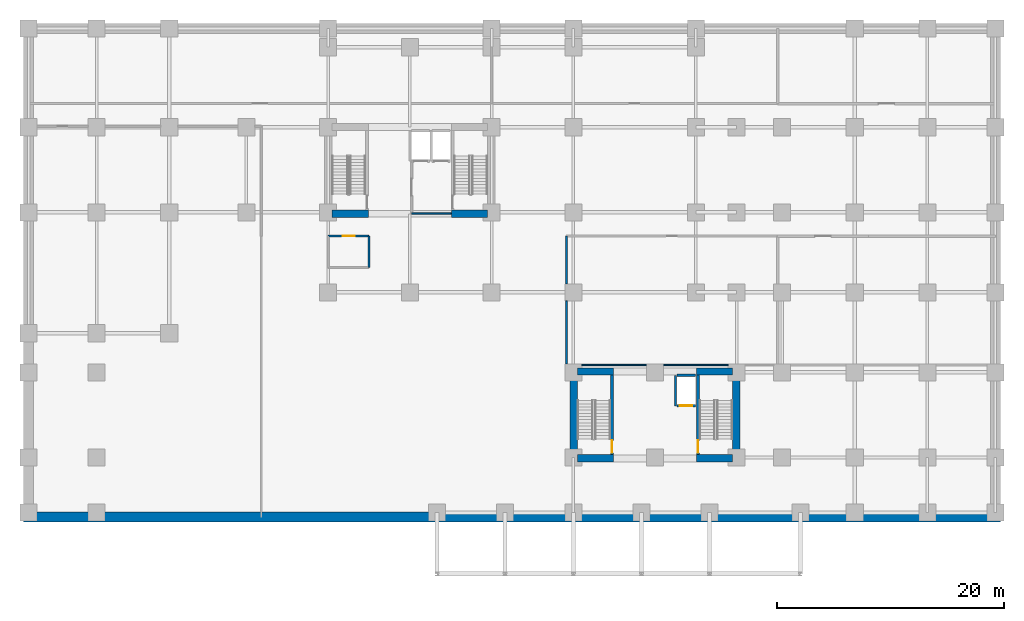
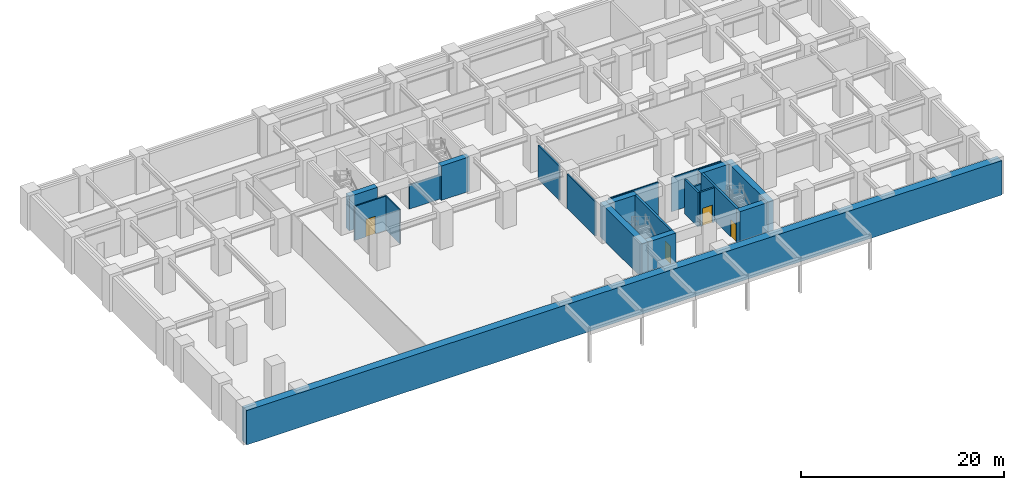
# One storey, part 7 of 11: 21 walls, 4 doors, 4 openings.
"""IFC4 building model written with IfcOpenShell, lengths in metres."""

from ifc_helpers import new_model, si_unit, direction, frame, frame_2d, origin, place, context, subcontext, project, spatial, rectangle, extrude, material, layer, layer_set, type_object, element, fill, save


model = new_model("IFC4")

# Units and contexts
model_context = context("Model", 3, precision=1e-05, world=origin(), true_north=direction((0.0, 1.0)))
body_context = subcontext(model_context, "Body", "Model", "MODEL_VIEW")
ifc_project = project(units=[si_unit("LENGTHUNIT", "METRE"), si_unit("AREAUNIT", "SQUARE_METRE"), si_unit("VOLUMEUNIT", "CUBIC_METRE"), si_unit("PLANEANGLEUNIT", "RADIAN"), si_unit("MASSUNIT", "GRAM", prefix="KILO")], contexts=[model_context])

# Site, building, storey
site_placement = place(None, origin())
site = spatial("IfcSite", under=ifc_project, at=site_placement, CompositionType="ELEMENT")
building_placement = place(site_placement, origin())
building = spatial("IfcBuilding", under=site, at=building_placement, Name="Kaliganga Portal Commons", CompositionType="ELEMENT")
storey_placement = place(building_placement, frame((0.0, 0.0, -4.5)))
storey = spatial("IfcBuildingStorey", under=building, at=storey_placement, Name="B1", CompositionType="ELEMENT", Elevation=-4.5)

# Walls
ifc_material_1 = material(Name="Concrete C70/85", Category="concrete")
ifc_layer_1 = layer(ifc_material_1, 0.64990234375)
ifc_layer_set_1 = layer_set([ifc_layer_1], Name="Concrete C70/85")
wall_type_1 = type_object("IfcWallType", Name="WL-CORE-650", PredefinedType="SHEAR", material=ifc_layer_set_1)
for number, where, z_axis, x_axis, name in (
    (1, (14.75, 28.52490234375, 0.0), (0.0, 0.0, 1.0), (1.0, 0.0, 0.0), "Core A S-West Shear Wall B1"),
    (2, (25.25, 28.52490234375, 0.0), (0.0, 0.0, 1.0), (1.0, 0.0, 0.0), "Core A S-East Shear Wall B1"),
):
    element("IfcWall", number, at=place(storey_placement, frame(where, z_axis=z_axis, x_axis=x_axis)), inside=storey, type_object=wall_type_1, Name=name, PredefinedType="SHEAR", context=body_context, shape_type="SweptSolid", body=[
        extrude(rectangle(XDim=3.199951171875, YDim=0.64990234375, at=frame_2d((1.60009765625, 0.0))), origin(), (0.0, 0.0, 1.0), 4.14990234375),
    ])
for number, where, z_axis, x_axis, name in (
    (3, (36.02490234375, 6.64990234375, 0.0), (0.0, 0.0, 1.0), (0.0, 1.0, 0.0), "Core B West Shear Wall B1"),
    (4, (50.375, 6.64990234375, 0.0), (0.0, 0.0, 1.0), (0.0, 1.0, 0.0), "Core B East Shear Wall B1"),
):
    element("IfcWall", number, at=place(storey_placement, frame(where, z_axis=z_axis, x_axis=x_axis)), inside=storey, type_object=wall_type_1, Name=name, PredefinedType="SHEAR", context=body_context, shape_type="SweptSolid", body=[
        extrude(rectangle(XDim=8.300048828125, YDim=0.64990234375, at=frame_2d((4.14990234375, 0.0))), origin(), (0.0, 0.0, 1.0), 4.14990234375),
    ])
for number, where, z_axis, x_axis, name in (
    (5, (36.35009765625, 6.97509765625, 0.0), (0.0, 0.0, 1.0), (1.0, 0.0, 0.0), "Core B S-West Shear Wall B1"),
    (6, (46.85009765625, 6.97509765625, 0.0), (0.0, 0.0, 1.0), (1.0, 0.0, 0.0), "Core B S-East Shear Wall B1"),
    (7, (36.35009765625, 14.625, 0.0), (0.0, 0.0, 1.0), (1.0, 0.0, 0.0), "Core B N-West Shear Wall B1"),
    (8, (46.85009765625, 14.625, 0.0), (0.0, 0.0, 1.0), (1.0, 0.0, 0.0), "Core B N-East Shear Wall B1"),
):
    element("IfcWall", number, at=place(storey_placement, frame(where, z_axis=z_axis, x_axis=x_axis)), inside=storey, type_object=wall_type_1, Name=name, PredefinedType="SHEAR", context=body_context, shape_type="SweptSolid", body=[
        extrude(rectangle(XDim=3.199951171875, YDim=0.64990234375, at=frame_2d((1.60009765625, 0.0))), origin(), (0.0, 0.0, 1.0), 4.14990234375),
    ])
ifc_material_2 = material(Name="Fire-Rated Gypsum Board on Steel Stud", Category="steel")
ifc_layer_2 = layer(ifc_material_2, 0.14990234375)
ifc_layer_set_2 = layer_set([ifc_layer_2], Name="Fire-Rated Gypsum Board on Steel Stud")
wall_type_2 = type_object("IfcWallType", Name="WL-PART-CORR-150", PredefinedType="PARTITIONING", material=ifc_layer_set_2)
wall_1_placement = place(storey_placement, frame((35.39990234375, 15.300048828125, 0.0), z_axis=(0.0, 0.0, 1.0), x_axis=(0.0, 1.0, 0.0)))
element("IfcWall", 9, at=wall_1_placement, inside=storey, type_object=wall_type_2, Name="Interior Partition B1-009", PredefinedType="PARTITIONING", context=body_context, shape_type="SweptSolid", body=[
    extrude(rectangle(XDim=5.550048828125, YDim=0.14990234375, at=frame_2d((2.77490234375, 0.0))), origin(), (0.0, 0.0, 1.0), 4.1298828125),
])
wall_2_placement = place(storey_placement, frame((35.39990234375, 22.35009765625, 0.0), z_axis=(0.0, 0.0, 1.0), x_axis=(0.0, 1.0, 0.0)))
element("IfcWall", 10, at=wall_2_placement, inside=storey, type_object=wall_type_2, Name="Interior Partition B1-010", PredefinedType="PARTITIONING", context=body_context, shape_type="SweptSolid", body=[
    extrude(rectangle(XDim=4.2099609375, YDim=0.14990234375, at=frame_2d((2.10498046875, 0.0))), origin(), (0.0, 0.0, 1.0), 4.1298828125),
])

# Wall, opening, door
wall_3_placement = place(storey_placement, frame((14.39990234375, 26.56005859375, 0.0), z_axis=(0.0, 0.0, 1.0), x_axis=(1.0, 0.0, 0.0)))
wall_3 = element("IfcWall", 11, at=wall_3_placement, inside=storey, type_object=wall_type_2, Name="Interior Partition B1-013", PredefinedType="PARTITIONING", context=body_context, shape_type="SweptSolid", body=[
    extrude(rectangle(XDim=3.60009765625, YDim=0.14990234375, at=frame_2d((1.800048828125, 0.0))), origin(), (0.0, 0.0, 1.0), 4.1298828125),
])
opening_1_placement = place(wall_3_placement, frame((1.27490234375, 0.0, 0.0)))
opening_1 = element("IfcOpeningElement", 12, at=opening_1_placement, cuts=wall_3, Name="Opening UD-02", PredefinedType="OPENING", context=body_context, shape_type="SweptSolid", body=[
    extrude(rectangle(XDim=1.050048828125, YDim=2.1201171875, at=frame_2d((0.52490234375, 1.06005859375))), frame((0.0, 0.0849609375, 0.0), z_axis=(0.0, -1.0, 0.0), x_axis=(1.0, 0.0, 0.0)), (0.0, 0.0, 1.0), 0.169921875),
])
ifc_material_3 = material(Name="Accessible Wide-Leaf Acoustic Fire Door", Category="wood")
door_type_1 = type_object("IfcDoorType", Name="DR-ACC-1050", OperationType="NOTDEFINED", PredefinedType="DOOR", material=ifc_material_3)
door_1_placement = place(opening_1_placement, origin())
door_1 = element("IfcDoor", 13, at=door_1_placement, inside=storey, type_object=door_type_1, Name="Interior Door B1-B1WC", OperationType="SINGLE_SWING_RIGHT", OverallHeight=2.1201171875, OverallWidth=1.050048828125, PredefinedType="DOOR", context=body_context, shape_type="SweptSolid", body=[
    extrude(rectangle(XDim=1.050048828125, YDim=2.1201171875, at=frame_2d((0.52490234375, 1.06005859375))), frame((0.0, 0.02490234375, 0.0), z_axis=(0.0, -1.0, 0.0), x_axis=(1.0, 0.0, 0.0)), (0.0, 0.0, 1.0), 0.050048828125),
])
fill(opening_1, door_1)

# Walls
wall_4_placement = place(storey_placement, frame((21.760009765625, 28.56005859375, 0.0), z_axis=(0.0, 0.0, 1.0), x_axis=(1.0, 0.0, 0.0)))
element("IfcWall", 14, at=wall_4_placement, inside=storey, type_object=wall_type_2, Name="Interior Partition B1-028", PredefinedType="PARTITIONING", context=body_context, shape_type="SweptSolid", body=[
    extrude(rectangle(XDim=3.47998046875, YDim=0.14990234375, at=frame_2d((1.739990234375, 0.0))), origin(), (0.0, 0.0, 1.0), 2.929931640625),
])
ifc_material_4 = material(Name="Moisture-Resistant Gypsum Partition", Category="gypsum")
ifc_layer_3 = layer(ifc_material_4, 0.114990234375)
ifc_layer_set_3 = layer_set([ifc_layer_3], Name="Moisture-Resistant Gypsum Partition")
wall_type_3 = type_object("IfcWallType", Name="WL-PART-ROOM-115", PredefinedType="PARTITIONING", material=ifc_layer_set_3)
for number, where, z_axis, x_axis, name in (
    (15, (36.75, 15.199951171875, 0.0), (0.0, 0.0, 1.0), (1.0, 0.0, 0.0), "Interior Partition B1-019"),
    (16, (43.949951171875, 15.199951171875, 0.0), (0.0, 0.0, 1.0), (1.0, 0.0, 0.0), "Interior Partition B1-020"),
):
    element("IfcWall", number, at=place(storey_placement, frame(where, z_axis=z_axis, x_axis=x_axis)), inside=storey, type_object=wall_type_3, Name=name, PredefinedType="PARTITIONING", context=body_context, shape_type="SweptSolid", body=[
        extrude(rectangle(XDim=5.699951171875, YDim=0.114990234375, at=frame_2d((2.85009765625, 0.0))), origin(), (0.0, 0.0, 1.0), 4.1298828125),
    ])
ifc_material_5 = material(Name="Cement-Board Wet-Room Partition", Category="gypsum")
ifc_layer_4 = layer(ifc_material_5, 0.135009765625)
ifc_layer_set_4 = layer_set([ifc_layer_4], Name="Cement-Board Wet-Room Partition")
wall_type_4 = type_object("IfcWallType", Name="WL-PART-WET-135", PredefinedType="PARTITIONING", material=ifc_layer_set_4)
wall_5_placement = place(storey_placement, frame((18.0, 23.800048828125, 0.0), z_axis=(0.0, 0.0, 1.0), x_axis=(0.0, 1.0, 0.0)))
element("IfcWall", 17, at=wall_5_placement, inside=storey, type_object=wall_type_4, Name="Interior Partition B1-030", PredefinedType="PARTITIONING", context=body_context, shape_type="SweptSolid", body=[
    extrude(rectangle(XDim=2.760009765625, YDim=0.135009765625, at=frame_2d((1.3798828125, 0.0))), origin(), (0.0, 0.0, 1.0), 4.1298828125),
])
ifc_material_6 = material(Name="Concrete C60/75", Category="concrete")
ifc_layer_5 = layer(ifc_material_6, 0.89990234375)
ifc_layer_set_5 = layer_set([ifc_layer_5], Name="Concrete C60/75")
wall_type_5 = type_object("IfcWallType", Name="WL-RET-900", PredefinedType="USERDEFINED", material=ifc_layer_set_5)
wall_6_placement = place(storey_placement, frame((-12.449951171875, 1.800048828125, 0.0), z_axis=(0.0, 0.0, 1.0), x_axis=(1.0, 0.0, 0.0)))
element("IfcWall", 18, at=wall_6_placement, inside=storey, type_object=wall_type_5, Name="Basement Diaphragm Retaining Wall B1-S", ObjectType="RETAINING WALL", PredefinedType="USERDEFINED", context=body_context, shape_type="SweptSolid", body=[
    extrude(rectangle(XDim=86.099853515625, YDim=0.89990234375, at=frame_2d((43.0498046875, 0.0))), origin(), (0.0, 0.0, 1.0), 4.14990234375),
])

# Wall, opening, door
ifc_material_7 = material(Name="Fire-Rated Shaftwall Masonry Assembly", Category="masonry")
ifc_layer_6 = layer(ifc_material_7, 0.199951171875)
ifc_layer_set_6 = layer_set([ifc_layer_6], Name="Fire-Rated Shaftwall Masonry Assembly")
wall_type_6 = type_object("IfcWallType", Name="WL-SHAFT-200", PredefinedType="PARTITIONING", material=ifc_layer_set_6)
wall_7_placement = place(storey_placement, frame((45.14990234375, 11.610107421875, 0.0), z_axis=(0.0, 0.0, 1.0), x_axis=(1.0, 0.0, 0.0)))
wall_7 = element("IfcWall", 19, at=wall_7_placement, inside=storey, type_object=wall_type_6, Name="Lift SL-B1 Hoistway Shaft Wall B1-S", PredefinedType="PARTITIONING", context=body_context, shape_type="SweptSolid", body=[
    extrude(rectangle(XDim=1.60009765625, YDim=0.199951171875, at=frame_2d((0.800048828125, 0.0))), origin(), (0.0, 0.0, 1.0), 4.1298828125),
])
opening_2_placement = place(wall_7_placement, frame((0.25, 0.0, 0.0)))
opening_2 = element("IfcOpeningElement", 20, at=opening_2_placement, cuts=wall_7, Name="Opening LD-01", PredefinedType="OPENING", context=body_context, shape_type="SweptSolid", body=[
    extrude(rectangle(XDim=1.10009765625, YDim=2.1201171875, at=frame_2d((0.550048828125, 1.06005859375))), frame((0.0, 0.10986328125, 0.0), z_axis=(0.0, -1.0, 0.0), x_axis=(1.0, 0.0, 0.0)), (0.0, 0.0, 1.0), 0.219970703125),
])
ifc_material_8 = material(Name="Brushed Stainless Steel 316 Lift Landing Door", Category="steel")
door_type_2 = type_object("IfcDoorType", Name="DR-LIFT-1100", OperationType="SLIDING_TO_LEFT", PredefinedType="DOOR", material=ifc_material_8)
door_2_placement = place(opening_2_placement, origin())
door_2 = element("IfcDoor", 21, at=door_2_placement, inside=storey, type_object=door_type_2, Name="Lift SL-B1 Sliding Landing Door B1", OperationType="SLIDING_TO_LEFT", OverallHeight=2.1201171875, OverallWidth=1.10009765625, PredefinedType="DOOR", context=body_context, shape_type="SweptSolid", body=[
    extrude(rectangle(XDim=1.10009765625, YDim=2.1201171875, at=frame_2d((0.550048828125, 1.06005859375))), frame((0.0, 0.02490234375, 0.0), z_axis=(0.0, -1.0, 0.0), x_axis=(1.0, 0.0, 0.0)), (0.0, 0.0, 1.0), 0.050048828125),
])
fill(opening_2, door_2)

# Walls
wall_8_placement = place(storey_placement, frame((45.14990234375, 14.2900390625, 0.0), z_axis=(0.0, 0.0, 1.0), x_axis=(1.0, 0.0, 0.0)))
element("IfcWall", 22, at=wall_8_placement, inside=storey, type_object=wall_type_6, Name="Lift SL-B1 Hoistway Shaft Wall B1-N", PredefinedType="PARTITIONING", context=body_context, shape_type="SweptSolid", body=[
    extrude(rectangle(XDim=1.60009765625, YDim=0.199951171875, at=frame_2d((0.800048828125, 0.0))), origin(), (0.0, 0.0, 1.0), 2.929931640625),
])
wall_9_placement = place(storey_placement, frame((45.010009765625, 11.610107421875, 0.0), z_axis=(0.0, 0.0, 1.0), x_axis=(0.0, 1.0, 0.0)))
element("IfcWall", 23, at=wall_9_placement, inside=storey, type_object=wall_type_6, Name="Lift SL-B1 Hoistway Shaft Wall B1-W", PredefinedType="PARTITIONING", context=body_context, shape_type="SweptSolid", body=[
    extrude(rectangle(XDim=2.679931640625, YDim=0.199951171875, at=frame_2d((1.33984375, 0.0))), origin(), (0.0, 0.0, 1.0), 4.1298828125),
])

# Wall, opening, door
ifc_material_9 = material(Name="Concrete C50/60", Category="concrete")
ifc_layer_7 = layer(ifc_material_9, 0.25)
ifc_layer_set_7 = layer_set([ifc_layer_7], Name="Concrete C50/60")
wall_type_7 = type_object("IfcWallType", Name="WL-STAIR-250", PredefinedType="SHEAR", material=ifc_layer_set_7)
wall_10_placement = place(storey_placement, frame((39.425048828125, 7.300048828125, 0.0), z_axis=(0.0, 0.0, 1.0), x_axis=(0.0, 1.0, 0.0)))
wall_10 = element("IfcWall", 24, at=wall_10_placement, inside=storey, type_object=wall_type_7, Name="Stair B1 Enclosure Shear Wall B1", PredefinedType="SHEAR", context=body_context, shape_type="SweptSolid", body=[
    extrude(rectangle(XDim=7.0, YDim=0.25, at=frame_2d((3.5, 0.0))), origin(), (0.0, 0.0, 1.0), 4.14990234375),
])
opening_3_placement = place(wall_10_placement, frame((0.14990234375, 0.0, 0.0)))
opening_3 = element("IfcOpeningElement", 25, at=opening_3_placement, cuts=wall_10, Name="Opening SD-01", PredefinedType="OPENING", context=body_context, shape_type="SweptSolid", body=[
    extrude(rectangle(XDim=1.10009765625, YDim=2.080078125, at=frame_2d((0.550048828125, 1.0400390625))), frame((0.0, 0.135009765625, 0.0), z_axis=(0.0, -1.0, 0.0), x_axis=(1.0, 0.0, 0.0)), (0.0, 0.0, 1.0), 0.27001953125),
])
ifc_material_10 = material(Name="Galvanized Steel Fire Door Leaf and Frame", Category="steel")
door_type_3 = type_object("IfcDoorType", Name="DR-STAIR-1100", OperationType="NOTDEFINED", PredefinedType="DOOR", material=ifc_material_10)
door_3_placement = place(opening_3_placement, origin())
door_3 = element("IfcDoor", 26, at=door_3_placement, inside=storey, type_object=door_type_3, Name="Protected Stair ST-B1 Fire Door B1", OperationType="SINGLE_SWING_LEFT", OverallHeight=2.080078125, OverallWidth=1.10009765625, PredefinedType="DOOR", context=body_context, shape_type="SweptSolid", body=[
    extrude(rectangle(XDim=1.10009765625, YDim=2.080078125, at=frame_2d((0.550048828125, 1.0400390625))), frame((0.0, 0.02490234375, 0.0), z_axis=(0.0, -1.0, 0.0), x_axis=(1.0, 0.0, 0.0)), (0.0, 0.0, 1.0), 0.050048828125),
])
fill(opening_3, door_3)

wall_11_placement = place(storey_placement, frame((46.97509765625, 7.300048828125, 0.0), z_axis=(0.0, 0.0, 1.0), x_axis=(0.0, 1.0, 0.0)))
wall_11 = element("IfcWall", 27, at=wall_11_placement, inside=storey, type_object=wall_type_7, Name="Stair B2 Enclosure Shear Wall B1", PredefinedType="SHEAR", context=body_context, shape_type="SweptSolid", body=[
    extrude(rectangle(XDim=7.0, YDim=0.25, at=frame_2d((3.5, 0.0))), origin(), (0.0, 0.0, 1.0), 4.14990234375),
])
opening_4_placement = place(wall_11_placement, frame((0.14990234375, 0.0, 0.0)))
opening_4 = element("IfcOpeningElement", 28, at=opening_4_placement, cuts=wall_11, Name="Opening SD-01", PredefinedType="OPENING", context=body_context, shape_type="SweptSolid", body=[
    extrude(rectangle(XDim=1.10009765625, YDim=2.080078125, at=frame_2d((0.550048828125, 1.0400390625))), frame((0.0, 0.135009765625, 0.0), z_axis=(0.0, -1.0, 0.0), x_axis=(1.0, 0.0, 0.0)), (0.0, 0.0, 1.0), 0.27001953125),
])
door_4_placement = place(opening_4_placement, origin())
door_4 = element("IfcDoor", 29, at=door_4_placement, inside=storey, type_object=door_type_3, Name="Protected Stair ST-B2 Fire Door B1", OperationType="SINGLE_SWING_RIGHT", OverallHeight=2.080078125, OverallWidth=1.10009765625, PredefinedType="DOOR", context=body_context, shape_type="SweptSolid", body=[
    extrude(rectangle(XDim=1.10009765625, YDim=2.080078125, at=frame_2d((0.550048828125, 1.0400390625))), frame((0.0, 0.02490234375, 0.0), z_axis=(0.0, -1.0, 0.0), x_axis=(1.0, 0.0, 0.0)), (0.0, 0.0, 1.0), 0.050048828125),
])
fill(opening_4, door_4)

save(model, "model.ifc")
